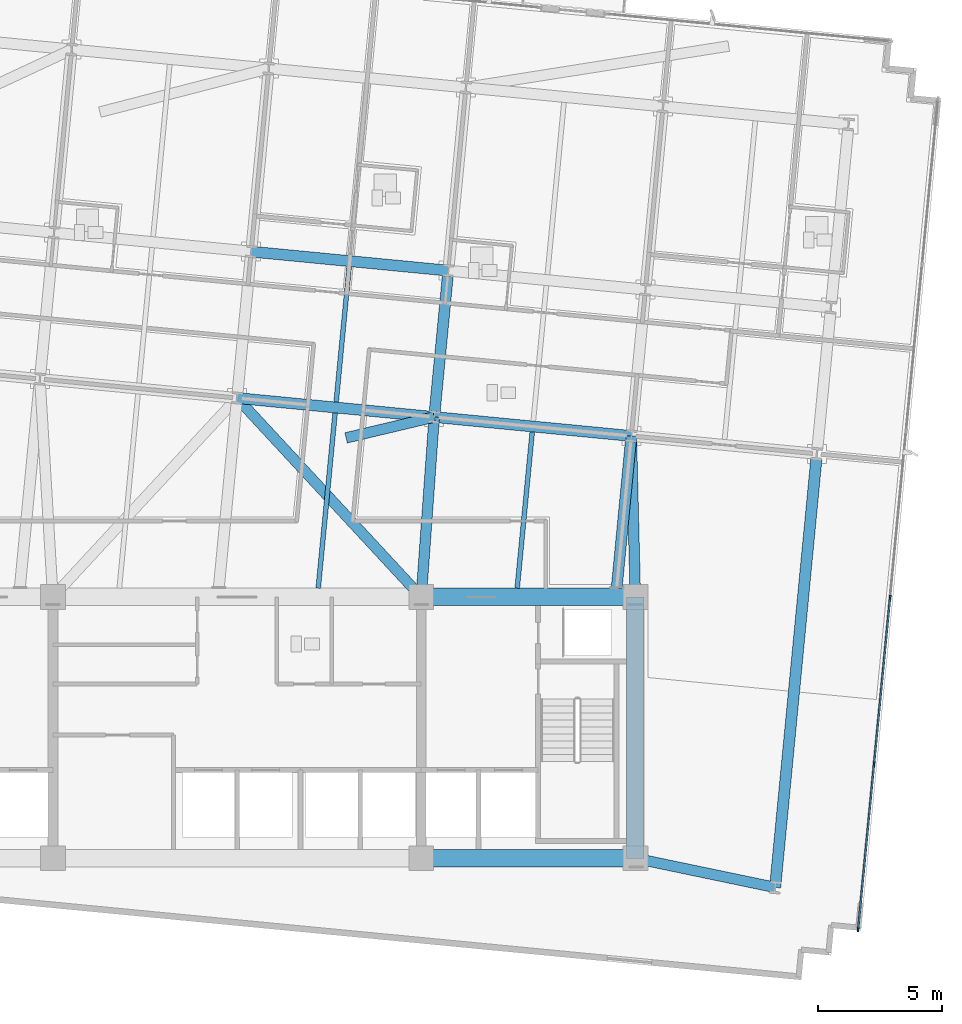
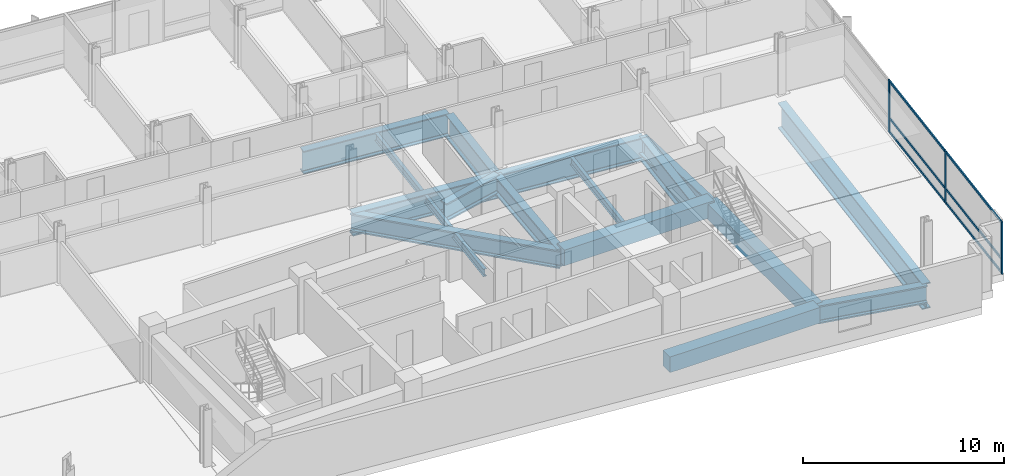
# One storey, part 5 of 18: 17 beams, 9 members, 1 element without a shape of its own.
"""IFC4 building model written with IfcOpenShell, lengths in metres."""

import ifcopenshell
import ifcopenshell.guid

model = None  # the IFC model being written
_history = None  # IfcOwnerHistory: only IFC2X3 demands one
_inside = {}  # id of a spatial element -> (the spatial element, [elements in it])
_under = {}  # id of a project, library or spatial element -> (it, [spatial elements below it])
_declared = {}  # id of a project -> (the project, [libraries it declares])
_typed = {}  # id of a type object -> (the type object, [elements of that type])
_made_of = {}  # id of a material, layer set ... -> (it, [elements and type objects made of it])


def new_model(schema):
    """Start an empty IFC model of exactly this schema.

    Asked for "IFC4X3", IfcOpenShell would pick the latest addendum, in which some entities
    have other attributes; the version numbers below select the first issue.
    IFC2X3 requires an IfcOwnerHistory on every rooted entity: one is made here for all.
    """
    global model, _history
    if schema == "IFC4X3":
        model = ifcopenshell.file(schema_version=(4, 3, 0, 0))
    else:
        model = ifcopenshell.file(schema=schema)
    _inside.clear()
    _under.clear()
    _declared.clear()
    _typed.clear()
    _made_of.clear()
    _history = None
    if model.schema == "IFC2X3":
        org = make("IfcOrganization", Name="unknown")
        user = make(
            "IfcPersonAndOrganization",
            ThePerson=make("IfcPerson", FamilyName="unknown"),
            TheOrganization=org,
        )
        app = make(
            "IfcApplication",
            ApplicationDeveloper=org,
            Version="unknown",
            ApplicationFullName="unknown",
            ApplicationIdentifier="unknown",
        )
        _history = make(
            "IfcOwnerHistory",
            OwningUser=user,
            OwningApplication=app,
            ChangeAction="ADDED",
            CreationDate=0,
        )
    return model


def make(cls, **values):
    """One entity of the class cls with the attributes given. An attribute that is None is left unset."""
    return model.create_entity(
        cls, **{name: value for name, value in values.items() if value is not None}
    )


def rooted(cls, **values):
    """An entity with a GlobalId (a new one), such as an element, a storey or a relation."""
    return make(cls, GlobalId=ifcopenshell.guid.new(), OwnerHistory=_history, **values)


def si_unit(unit_type, name, prefix=None):
    """IfcSIUnit, for example si_unit("LENGTHUNIT", "METRE", prefix="MILLI")."""
    return make("IfcSIUnit", UnitType=unit_type, Prefix=prefix, Name=name)


def assignment(units):
    """IfcUnitAssignment: the units of a project."""
    return None if units is None else make("IfcUnitAssignment", Units=units)


def point(xyz):
    """IfcCartesianPoint."""
    return None if xyz is None else make("IfcCartesianPoint", Coordinates=xyz)


def direction(xyz):
    """IfcDirection."""
    return None if xyz is None else make("IfcDirection", DirectionRatios=xyz)


def frame(location, z_axis=None, x_axis=None):
    """IfcAxis2Placement3D, a coordinate frame: its origin and axes. An axis left out is left unset."""
    return make(
        "IfcAxis2Placement3D",
        Location=point(location),
        Axis=direction(z_axis),
        RefDirection=direction(x_axis),
    )


def frame_2d(location, x_axis=None):
    """IfcAxis2Placement2D, a coordinate frame in the plane: its origin and x axis."""
    return make(
        "IfcAxis2Placement2D", Location=point(location), RefDirection=direction(x_axis)
    )


def origin():
    """The frame at (0, 0, 0) with its axes left unset."""
    return frame((0.0, 0.0, 0.0))


def origin_2d():
    """The frame at (0, 0) in the plane with its x axis left unset."""
    return frame_2d((0.0, 0.0))


def place(relative_to, where):
    """IfcLocalPlacement: puts the frame where relative to a parent placement (None: the world)."""
    return make(
        "IfcLocalPlacement", PlacementRelTo=relative_to, RelativePlacement=where
    )


def context(
    kind, dimensions, precision=None, world=None, true_north=None, identifier=None
):
    """IfcGeometricRepresentationContext, for example the 3D "Model" context."""
    return make(
        "IfcGeometricRepresentationContext",
        ContextIdentifier=identifier,
        ContextType=kind,
        CoordinateSpaceDimension=dimensions,
        Precision=precision,
        WorldCoordinateSystem=world,
        TrueNorth=true_north,
    )


def subcontext(parent, identifier, kind, view, scale=None):
    """IfcGeometricRepresentationSubContext, for example "Body" below "Model"."""
    return make(
        "IfcGeometricRepresentationSubContext",
        ContextIdentifier=identifier,
        ContextType=kind,
        ParentContext=parent,
        TargetScale=scale,
        TargetView=view,
    )


def project(units=None, contexts=None):
    """IfcProject with its units and contexts."""
    return rooted(
        "IfcProject",
        Name="project",
        RepresentationContexts=contexts,
        UnitsInContext=assignment(units),
    )


def spatial(cls, under=None, at=None, **own):
    """A site, building, storey or space (cls), placed at a placement, below another one or the project."""
    s = rooted(cls, ObjectPlacement=at, **own)
    if under is not None:
        _under.setdefault(under.id(), (under, []))[1].append(s)
    return s


def profile(cls, at=None, kind="AREA", **sizes):
    """A parametric profile (cls). Its sizes go by their IFC names, for example OverallWidth=200.0."""
    return make(cls, ProfileType=kind, Position=at, **sizes)


def rectangle(**sizes):
    """IfcRectangleProfileDef."""
    return profile("IfcRectangleProfileDef", **sizes)


def i_section(**sizes):
    """IfcIShapeProfileDef."""
    return profile("IfcIShapeProfileDef", **sizes)


def extrude(swept, where, along, depth):
    """IfcExtrudedAreaSolid: the profile swept, set in the frame where, extruded along a direction by depth."""
    return make(
        "IfcExtrudedAreaSolid",
        SweptArea=swept,
        Position=where,
        ExtrudedDirection=direction(along),
        Depth=depth,
    )


def shape(context_of_items, identifier, shape_type, items):
    """IfcShapeRepresentation: the items that make up one representation, for example the "Body"."""
    return make(
        "IfcShapeRepresentation",
        ContextOfItems=context_of_items,
        RepresentationIdentifier=identifier,
        RepresentationType=shape_type,
        Items=items,
    )


def material(Name=None, Category=None):
    """IfcMaterial."""
    return make("IfcMaterial", Name=Name, Category=Category)


def material_profile(
    of_material, cross_section, Name=None, Category=None, Priority=None
):
    """IfcMaterialProfile: a cross section and its material."""
    return make(
        "IfcMaterialProfile",
        Name=Name,
        Material=of_material,
        Profile=cross_section,
        Priority=Priority,
        Category=Category,
    )


def profile_set(profiles, Name=None, composite=None):
    """IfcMaterialProfileSet."""
    return make(
        "IfcMaterialProfileSet",
        Name=Name,
        MaterialProfiles=profiles,
        CompositeProfile=composite,
    )


def made_of(thing, what):
    """Note that an element or type object is made of a material, layer set ...; save() writes the relation."""
    if what is not None:
        _made_of.setdefault(what.id(), (what, []))[1].append(thing)
    return thing


def type_object(cls, material=None, **own):
    """A type object (cls), such as IfcWallType, which elements share."""
    return made_of(rooted(cls, **own), material)


def element(
    cls,
    number,
    at=None,
    inside=None,
    cuts=None,
    type_object=None,
    material=None,
    context=None,
    identifier="Body",
    shape_type=None,
    held_by="IfcProductDefinitionShape",
    body=None,
    shapes=None,
    **own,
):
    """One element of the class cls, such as IfcWall. Its Tag is "e" and its number.

    at: its placement. inside: the storey or other place that contains it. cuts: it is an
    opening in that element (IfcRelVoidsElement). A single representation is given by context,
    identifier, shape_type and body (its items); several are given by shapes. held_by: the class
    of the entity that holds the representations. save() writes the other relations.
    """
    e = rooted(cls, Tag="e%d" % number, ObjectPlacement=at, **own)
    if body is not None:
        shapes = [shape(context, identifier, shape_type, body)]
    if shapes is not None:
        e.Representation = make(held_by, Representations=shapes)
    if inside is not None:
        _inside.setdefault(inside.id(), (inside, []))[1].append(e)
    if cuts is not None:
        rooted(
            "IfcRelVoidsElement", RelatingBuildingElement=cuts, RelatedOpeningElement=e
        )
    if type_object is not None:
        _typed.setdefault(type_object.id(), (type_object, []))[1].append(e)
    return made_of(e, material)


def aggregate(whole, parts):
    """IfcRelAggregates: a whole, such as a stair, and the parts it consists of."""
    return rooted("IfcRelAggregates", RelatingObject=whole, RelatedObjects=parts)


def save(model, path):
    """Write the relations noted so far, then the file.

    IfcRelAggregates (storeys below a building ...), IfcRelContainedInSpatialStructure (elements
    in a storey), IfcRelDefinesByType, IfcRelAssociatesMaterial and IfcRelDeclares: one each for
    every whole, place, type object, material and project.
    """
    for whole, parts in _under.values():
        aggregate(whole, parts)
    for where, things in _inside.values():
        rooted(
            "IfcRelContainedInSpatialStructure",
            RelatedElements=things,
            RelatingStructure=where,
        )
    for kind, things in _typed.values():
        rooted("IfcRelDefinesByType", RelatedObjects=things, RelatingType=kind)
    for what, things in _made_of.values():
        rooted("IfcRelAssociatesMaterial", RelatedObjects=things, RelatingMaterial=what)
    for by, libraries in _declared.values():
        rooted("IfcRelDeclares", RelatingContext=by, RelatedDefinitions=libraries)
    model.write(path)


model = new_model("IFC4")

# Units and contexts
model_context = context("Model", 3, precision=1e-05, world=origin(), true_north=direction((0.0, 1.0)))
body_context = subcontext(model_context, "Body", "Model", "MODEL_VIEW")
ifc_project = project(units=[si_unit("LENGTHUNIT", "METRE"), si_unit("AREAUNIT", "SQUARE_METRE"), si_unit("VOLUMEUNIT", "CUBIC_METRE"), si_unit("PLANEANGLEUNIT", "RADIAN"), si_unit("MASSUNIT", "GRAM", prefix="KILO")], contexts=[model_context])

# Site, building, storey
site_placement = place(None, origin())
site = spatial("IfcSite", under=ifc_project, at=site_placement, CompositionType="ELEMENT")
building_placement = place(site_placement, origin())
building = spatial("IfcBuilding", under=site, at=building_placement, Name="Solmavex Isthmus Hotel", CompositionType="ELEMENT")
storey_placement = place(building_placement, frame((0.0, 0.0, 135.89990234375)))
storey = spatial("IfcBuildingStorey", under=building, at=storey_placement, Name="L36", CompositionType="ELEMENT", Elevation=135.89990234375)

# Beams
ifc_material_1 = material(Name="Steel ASTM A992 Grade 50", Category="steel")
ifc_material_profile_1 = material_profile(ifc_material_1, i_section(OverallWidth=0.1904296875, OverallDepth=0.456787109375, WebThickness=0.009033203125, FlangeThickness=0.014404296875, FilletRadius=0.0126953125, at=origin_2d()), Name="W18X50")
ifc_profile_set_1 = profile_set([ifc_material_profile_1], Name="Steel ASTM A992 Grade 50")
beam_type_1 = type_object("IfcBeamType", Name="BM-BJ-W18X50", PredefinedType="JOIST", material=ifc_profile_set_1)
beam_1_placement = place(storey_placement, frame((3.261962890625, -2.14990234375, -0.678466796875), z_axis=(0.095859741367, 0.995394851295, 0.0), x_axis=(-0.995394851295, 0.095859741367, 0.0)))
element("IfcBeam", 1, at=beam_1_placement, inside=storey, type_object=beam_type_1, Name="Secondary Floor Joist L36-J10", PredefinedType="JOIST", context=body_context, shape_type="SweptSolid", body=[
    extrude(i_section(OverallWidth=0.1904296875, OverallDepth=0.456787109375, WebThickness=0.009033203125, FlangeThickness=0.014404296875, FilletRadius=0.0126953125, at=origin_2d()), origin(), (0.0, 0.0, 1.0), 7.072509765625),
])
beam_2_placement = place(storey_placement, frame((3.98193359375, 5.328125, -0.678466796875), z_axis=(0.095864698371, 0.995394373907, 0.0), x_axis=(-0.995394373907, 0.095864698371, 0.0)))
element("IfcBeam", 2, at=beam_2_placement, inside=storey, type_object=beam_type_1, Name="Secondary Floor Joist L36-J11", PredefinedType="JOIST", context=body_context, shape_type="SweptSolid", body=[
    extrude(i_section(OverallWidth=0.1904296875, OverallDepth=0.456787109375, WebThickness=0.009033203125, FlangeThickness=0.014404296875, FilletRadius=0.0126953125, at=origin_2d()), origin(), (0.0, 0.0, 1.0), 5.4677734375),
])
beam_3_placement = place(storey_placement, frame((11.2548828125, -2.14990234375, -0.678466796875), z_axis=(0.095815679707, 0.995399093591, 0.0), x_axis=(-0.995399093591, 0.095815679707, 0.0)))
element("IfcBeam", 3, at=beam_3_placement, inside=storey, type_object=beam_type_1, Name="Secondary Floor Joist L36-J13", PredefinedType="JOIST", context=body_context, shape_type="SweptSolid", body=[
    extrude(i_section(OverallWidth=0.1904296875, OverallDepth=0.456787109375, WebThickness=0.009033203125, FlangeThickness=0.014404296875, FilletRadius=0.0126953125, at=origin_2d()), origin(), (0.0, 0.0, 1.0), 6.306396484375),
])
ifc_material_2 = material(Name="Concrete C60/75", Category="concrete")
ifc_material_profile_2 = material_profile(ifc_material_2, rectangle(XDim=0.699951171875, YDim=0.949951171875, at=origin_2d()), Name="RC700X950")
ifc_profile_set_2 = profile_set([ifc_material_profile_2], Name="Concrete C60/75")
beam_type_2 = type_object("IfcBeamType", Name="BM-CB-700X950", PredefinedType="BEAM", material=ifc_profile_set_2)
for number, where, z_axis, x_axis, name in (
    (4, (7.39990234375, -13.0, -0.9248046875), (1.0, 0.0, 0.0), (0.0, 1.0, 0.0), "Core Coupling Beam L36-CB3"),
    (5, (7.39990234375, -2.5, -0.81494140625), (1.0, 0.0, 0.0), (0.0, 1.0, 0.0), "Core Coupling Beam L36-CB6"),
):
    element("IfcBeam", number, at=place(storey_placement, frame(where, z_axis=z_axis, x_axis=x_axis)), inside=storey, type_object=beam_type_2, Name=name, PredefinedType="BEAM", context=body_context, shape_type="SweptSolid", body=[
        extrude(rectangle(XDim=0.699951171875, YDim=0.949951171875, at=origin_2d()), origin(), (0.0, 0.0, 1.0), 8.60009765625),
    ])
beam_4_placement = place(storey_placement, frame((16.0, -13.0, -0.9248046875), z_axis=(0.0, 1.0, 0.0), x_axis=(-1.0, 0.0, 0.0)))
element("IfcBeam", 6, at=beam_4_placement, inside=storey, type_object=beam_type_2, Name="Core Coupling Beam L36-CB8", PredefinedType="BEAM", context=body_context, shape_type="SweptSolid", body=[
    extrude(rectangle(XDim=0.699951171875, YDim=0.949951171875, at=origin_2d()), origin(), (0.0, 0.0, 1.0), 10.5),
])
ifc_material_3 = material(Name="Steel ASTM A572 Grade 50", Category="steel")
ifc_material_profile_3 = material_profile(ifc_material_3, i_section(OverallWidth=0.449951171875, OverallDepth=1.550048828125, WebThickness=0.031982421875, FlangeThickness=0.06494140625, FilletRadius=0.030517578125, at=origin_2d()), Name="I1550X450")
ifc_profile_set_3 = profile_set([ifc_material_profile_3], Name="Steel ASTM A572 Grade 50")
beam_type_3 = type_object("IfcBeamType", Name="BM-TB-G1550", PredefinedType="BEAM", material=ifc_profile_set_3)
beam_5_placement = place(storey_placement, frame((21.6162109375, -14.171875, -1.224853515625), z_axis=(0.095847819954, 0.995395999294, 0.0), x_axis=(-0.995395999294, 0.095847819954, 0.0)))
element("IfcBeam", 7, at=beam_5_placement, inside=storey, type_object=beam_type_3, Name="Outrigger Collector Beam L36-VG38", PredefinedType="BEAM", context=body_context, shape_type="SweptSolid", body=[
    extrude(i_section(OverallWidth=0.449951171875, OverallDepth=1.550048828125, WebThickness=0.031982421875, FlangeThickness=0.06494140625, FilletRadius=0.030517578125, at=origin_2d()), origin(), (0.0, 0.0, 1.0), 17.280029296875),
])
ifc_material_4 = material(Name="Steel ASTM A913 Grade 65", Category="steel")
ifc_material_profile_4 = material_profile(ifc_material_4, i_section(OverallWidth=0.42431640625, OverallDepth=1.09228515625, WebThickness=0.04541015625, FlangeThickness=0.08203125, FilletRadius=0.030517578125, at=origin_2d()), Name="W40X593")
ifc_profile_set_4 = profile_set([ifc_material_profile_4], Name="Steel ASTM A913 Grade 65")
beam_type_4 = type_object("IfcBeamType", Name="BM-TB-W40X397", PredefinedType="BEAM", material=ifc_profile_set_4)
beam_6_placement = place(storey_placement, frame((7.39990234375, -2.5, -0.99609375), z_axis=(-0.679423678648, 0.733746185606, 0.0), x_axis=(-0.733746185606, -0.679423678648, 0.0)))
element("IfcBeam", 8, at=beam_6_placement, inside=storey, type_object=beam_type_4, Name="Core Outrigger Strut L35-OTCE", PredefinedType="BEAM", context=body_context, shape_type="SweptSolid", body=[
    extrude(i_section(OverallWidth=0.42431640625, OverallDepth=1.09228515625, WebThickness=0.04541015625, FlangeThickness=0.08203125, FilletRadius=0.030517578125, at=origin_2d()), origin(), (0.0, 0.0, 1.0), 10.8896484375),
])
beam_7_placement = place(storey_placement, frame((16.0, -2.5, -0.99609375), z_axis=(-0.024726219338, 0.9996942603, 0.0), x_axis=(-0.9996942603, -0.024726219338, 0.0)))
element("IfcBeam", 9, at=beam_7_placement, inside=storey, type_object=beam_type_4, Name="Core Outrigger Strut L35-OTNE", PredefinedType="BEAM", context=body_context, shape_type="SweptSolid", body=[
    extrude(i_section(OverallWidth=0.42431640625, OverallDepth=1.09228515625, WebThickness=0.04541015625, FlangeThickness=0.08203125, FilletRadius=0.030517578125, at=origin_2d()), origin(), (0.0, 0.0, 1.0), 6.46728515625),
])
beam_8_placement = place(storey_placement, frame((16.0, -13.0, -0.99609375), z_axis=(0.978916646871, -0.204260124543, 0.0), x_axis=(0.204260124543, 0.978916646871, 0.0)))
element("IfcBeam", 10, at=beam_8_placement, inside=storey, type_object=beam_type_4, Name="Core Outrigger Strut L35-OTSE", PredefinedType="BEAM", context=body_context, shape_type="SweptSolid", body=[
    extrude(i_section(OverallWidth=0.42431640625, OverallDepth=1.09228515625, WebThickness=0.04541015625, FlangeThickness=0.08203125, FilletRadius=0.030517578125, at=origin_2d()), origin(), (0.0, 0.0, 1.0), 5.737060546875),
])
beam_9_placement = place(storey_placement, frame((4.38037109375, 3.888427734375, -0.99609375), z_axis=(0.973026800777, 0.230692099929, 0.0), x_axis=(-0.230692099929, 0.973026800777, 0.0)))
element("IfcBeam", 11, at=beam_9_placement, inside=storey, type_object=beam_type_4, Name="Core Outrigger Strut L35-OTM1", PredefinedType="BEAM", context=body_context, shape_type="SweptSolid", body=[
    extrude(i_section(OverallWidth=0.42431640625, OverallDepth=1.09228515625, WebThickness=0.04541015625, FlangeThickness=0.08203125, FilletRadius=0.030517578125, at=origin_2d()), origin(), (0.0, 0.0, 1.0), 3.638427734375),
])
ifc_material_profile_5 = material_profile(ifc_material_3, i_section(OverallWidth=0.43994140625, OverallDepth=1.3798828125, WebThickness=0.030029296875, FlangeThickness=0.054931640625, FilletRadius=0.030517578125, at=origin_2d()), Name="I1380X440")
ifc_profile_set_5 = profile_set([ifc_material_profile_5], Name="Steel ASTM A572 Grade 50")
beam_type_5 = type_object("IfcBeamType", Name="BM-TG-I1380", PredefinedType="BEAM", material=ifc_profile_set_5)
for number, where, z_axis, x_axis, name in (
    (12, (0.001220703125, 5.490234375, -1.139892578125), (0.995397440011, -0.095832856685, 0.0), (0.095832856685, 0.995397440011, 0.0), "Outrigger Collector Girder L36-UG06"),
    (13, (7.920654296875, 4.727783203125, -1.139892578125), (0.995397440011, -0.095832856685, 0.0), (0.095832856685, 0.995397440011, 0.0), "Outrigger Collector Girder L36-UG07"),
):
    element("IfcBeam", number, at=place(storey_placement, frame(where, z_axis=z_axis, x_axis=x_axis)), inside=storey, type_object=beam_type_5, Name=name, PredefinedType="BEAM", context=body_context, shape_type="SweptSolid", body=[
        extrude(i_section(OverallWidth=0.43994140625, OverallDepth=1.3798828125, WebThickness=0.030029296875, FlangeThickness=0.054931640625, FilletRadius=0.030517578125, at=origin_2d()), origin(), (0.0, 0.0, 1.0), 7.9560546875),
    ])
beam_10_placement = place(storey_placement, frame((0.567626953125, 11.37109375, -1.139892578125), z_axis=(0.995397158178, -0.095835783981, 0.0), x_axis=(0.095835783981, 0.995397158178, 0.0)))
element("IfcBeam", 14, at=beam_10_placement, inside=storey, type_object=beam_type_5, Name="Outrigger Collector Girder L36-UG12", PredefinedType="BEAM", context=body_context, shape_type="SweptSolid", body=[
    extrude(i_section(OverallWidth=0.43994140625, OverallDepth=1.3798828125, WebThickness=0.030029296875, FlangeThickness=0.054931640625, FilletRadius=0.030517578125, at=origin_2d()), origin(), (0.0, 0.0, 1.0), 7.955810546875),
])
beam_11_placement = place(storey_placement, frame((7.941650390625, 4.94677734375, -1.139892578125), z_axis=(0.095860437863, 0.99539478422, 0.0), x_axis=(-0.99539478422, 0.095860437863, 0.0)))
element("IfcBeam", 15, at=beam_11_placement, inside=storey, type_object=beam_type_5, Name="Outrigger Collector Beam L36-VG33", PredefinedType="BEAM", context=body_context, shape_type="SweptSolid", body=[
    extrude(i_section(OverallWidth=0.43994140625, OverallDepth=1.3798828125, WebThickness=0.030029296875, FlangeThickness=0.054931640625, FilletRadius=0.030517578125, at=origin_2d()), origin(), (0.0, 0.0, 1.0), 5.468017578125),
])
beam_12_placement = place(storey_placement, frame((15.251220703125, -2.14990234375, -1.139892578125), z_axis=(0.095826281306, 0.99539807304, 0.0), x_axis=(-0.99539807304, 0.095826281306, 0.0)))
element("IfcBeam", 16, at=beam_12_placement, inside=storey, type_object=beam_type_5, Name="Outrigger Collector Beam L36-VG35", PredefinedType="BEAM", context=body_context, shape_type="SweptSolid", body=[
    extrude(i_section(OverallWidth=0.43994140625, OverallDepth=1.3798828125, WebThickness=0.030029296875, FlangeThickness=0.054931640625, FilletRadius=0.030517578125, at=origin_2d()), origin(), (0.0, 0.0, 1.0), 5.923583984375),
])
ifc_material_profile_6 = material_profile(ifc_material_4, i_section(OverallWidth=0.42431640625, OverallDepth=1.09228515625, WebThickness=0.04541015625, FlangeThickness=0.08203125, FilletRadius=0.030517578125, at=origin_2d()), Name="W40X593")
ifc_profile_set_6 = profile_set([ifc_material_profile_6], Name="Steel ASTM A913 Grade 65")
beam_type_6 = type_object("IfcBeamType", Name="BM-TG-W40X593", PredefinedType="BEAM", material=ifc_profile_set_6)
beam_13_placement = place(storey_placement, frame((7.39990234375, -2.5, -0.99609375), z_axis=(0.071862362862, 0.997414558147, 0.0), x_axis=(-0.997414558147, 0.071862362862, 0.0)))
element("IfcBeam", 17, at=beam_13_placement, inside=storey, type_object=beam_type_6, Name="Core Outrigger Strut L35-OTE", PredefinedType="BEAM", context=body_context, shape_type="SweptSolid", body=[
    extrude(i_section(OverallWidth=0.42431640625, OverallDepth=1.09228515625, WebThickness=0.04541015625, FlangeThickness=0.08203125, FilletRadius=0.030517578125, at=origin_2d()), origin(), (0.0, 0.0, 1.0), 7.24658203125),
])

# Curtain wall, members
ifc_material_5 = material(Name="Aluminium alloy 6063-T6", Category="aluminium")
curtain_wall_type = type_object("IfcCurtainWallType", Name="CW-SYS-03", PredefinedType="NOTDEFINED", material=ifc_material_5)
curtain_wall_placement = place(storey_placement, origin())
curtain_wall = element("IfcCurtainWall", 18, at=curtain_wall_placement, inside=storey, type_object=curtain_wall_type, Name="Stick Curtain Wall CWL-L36-E1", PredefinedType="NOTDEFINED")
ifc_material_profile_7 = material_profile(ifc_material_5, rectangle(XDim=0.070068359375, YDim=0.179931640625, at=origin_2d()), Name="CWM-70X180")
ifc_profile_set_7 = profile_set([ifc_material_profile_7], Name="Aluminium alloy 6063-T6")
member_type_1 = type_object("IfcMemberType", Name="CW-SYS-03-MUL", PredefinedType="MULLION", material=ifc_profile_set_7)
member_1_placement = place(storey_placement, frame((24.949462890625, -15.8642578125, 0.0), z_axis=(0.0, 0.0, 1.0), x_axis=(-0.995396190038, 0.09584583902, 0.0)))
member_1 = element("IfcMember", 19, at=member_1_placement, type_object=member_type_1, Name="CW-03 mullion 1", PredefinedType="MULLION", context=body_context, shape_type="SweptSolid", body=[
    extrude(rectangle(XDim=0.070068359375, YDim=0.179931640625, at=origin_2d()), origin(), (0.0, 0.0, 1.0), 3.190185546875),
])
member_2_placement = place(storey_placement, frame((25.590087890625, -9.2099609375, 0.0), z_axis=(0.0, 0.0, 1.0), x_axis=(-0.995396190038, 0.09584583902, 0.0)))
member_2 = element("IfcMember", 20, at=member_2_placement, type_object=member_type_1, Name="CW-03 mullion 2", PredefinedType="MULLION", context=body_context, shape_type="SweptSolid", body=[
    extrude(rectangle(XDim=0.070068359375, YDim=0.179931640625, at=origin_2d()), origin(), (0.0, 0.0, 1.0), 3.190185546875),
])
member_3_placement = place(storey_placement, frame((26.234130859375, -2.520751953125, 0.0), z_axis=(0.0, 0.0, 1.0), x_axis=(-0.995396190038, 0.09584583902, 0.0)))
member_3 = element("IfcMember", 21, at=member_3_placement, type_object=member_type_1, Name="CW-03 mullion 3", PredefinedType="MULLION", context=body_context, shape_type="SweptSolid", body=[
    extrude(rectangle(XDim=0.070068359375, YDim=0.179931640625, at=origin_2d()), origin(), (0.0, 0.0, 1.0), 3.190185546875),
])
ifc_material_profile_8 = material_profile(ifc_material_5, rectangle(XDim=0.070068359375, YDim=0.139892578125, at=origin_2d()), Name="CWT-70X140")
ifc_profile_set_8 = profile_set([ifc_material_profile_8], Name="Aluminium alloy 6063-T6")
member_type_2 = type_object("IfcMemberType", Name="CW-SYS-03-TRN", PredefinedType="USERDEFINED", material=ifc_profile_set_8)
member_4_placement = place(storey_placement, frame((24.95263671875, -15.829345703125, 0.070068359375), z_axis=(0.095848837806, 0.995395901283, 0.0), x_axis=(-0.995395901283, 0.095848837806, 0.0)))
member_4 = element("IfcMember", 22, at=member_4_placement, type_object=member_type_2, Name="CW-03 transom 1.1", ObjectType="TRANSOM", PredefinedType="USERDEFINED", context=body_context, shape_type="SweptSolid", body=[
    extrude(rectangle(XDim=0.070068359375, YDim=0.139892578125, at=origin_2d()), origin(), (0.0, 0.0, 1.0), 6.614990234375),
])
member_5_placement = place(storey_placement, frame((24.95263671875, -15.829345703125, 0.900146484375), z_axis=(0.095848837806, 0.995395901283, 0.0), x_axis=(-0.995395901283, 0.095848837806, 0.0)))
member_5 = element("IfcMember", 23, at=member_5_placement, type_object=member_type_2, Name="CW-03 transom 1.2", ObjectType="TRANSOM", PredefinedType="USERDEFINED", context=body_context, shape_type="SweptSolid", body=[
    extrude(rectangle(XDim=0.070068359375, YDim=0.139892578125, at=origin_2d()), origin(), (0.0, 0.0, 1.0), 6.614990234375),
])
member_6_placement = place(storey_placement, frame((24.95263671875, -15.829345703125, 3.1201171875), z_axis=(0.095848837806, 0.995395901283, 0.0), x_axis=(-0.995395901283, 0.095848837806, 0.0)))
member_6 = element("IfcMember", 24, at=member_6_placement, type_object=member_type_2, Name="CW-03 transom 1.3", ObjectType="TRANSOM", PredefinedType="USERDEFINED", context=body_context, shape_type="SweptSolid", body=[
    extrude(rectangle(XDim=0.070068359375, YDim=0.139892578125, at=origin_2d()), origin(), (0.0, 0.0, 1.0), 6.614990234375),
])
member_7_placement = place(storey_placement, frame((25.593505859375, -9.175048828125, 0.070068359375), z_axis=(0.095857212138, 0.995395094865, 0.0), x_axis=(-0.995395094865, 0.095857212138, 0.0)))
member_7 = element("IfcMember", 25, at=member_7_placement, type_object=member_type_2, Name="CW-03 transom 2.1", ObjectType="TRANSOM", PredefinedType="USERDEFINED", context=body_context, shape_type="SweptSolid", body=[
    extrude(rectangle(XDim=0.070068359375, YDim=0.139892578125, at=origin_2d()), origin(), (0.0, 0.0, 1.0), 6.64990234375),
])
member_8_placement = place(storey_placement, frame((25.593505859375, -9.175048828125, 0.900146484375), z_axis=(0.095857212138, 0.995395094865, 0.0), x_axis=(-0.995395094865, 0.095857212138, 0.0)))
member_8 = element("IfcMember", 26, at=member_8_placement, type_object=member_type_2, Name="CW-03 transom 2.2", ObjectType="TRANSOM", PredefinedType="USERDEFINED", context=body_context, shape_type="SweptSolid", body=[
    extrude(rectangle(XDim=0.070068359375, YDim=0.139892578125, at=origin_2d()), origin(), (0.0, 0.0, 1.0), 6.64990234375),
])
member_9_placement = place(storey_placement, frame((25.593505859375, -9.175048828125, 3.1201171875), z_axis=(0.095857212138, 0.995395094865, 0.0), x_axis=(-0.995395094865, 0.095857212138, 0.0)))
member_9 = element("IfcMember", 27, at=member_9_placement, type_object=member_type_2, Name="CW-03 transom 2.3", ObjectType="TRANSOM", PredefinedType="USERDEFINED", context=body_context, shape_type="SweptSolid", body=[
    extrude(rectangle(XDim=0.070068359375, YDim=0.139892578125, at=origin_2d()), origin(), (0.0, 0.0, 1.0), 6.64990234375),
])
aggregate(curtain_wall, [member_1, member_2, member_3, member_4, member_5, member_6, member_7, member_8, member_9])

save(model, "model.ifc")
